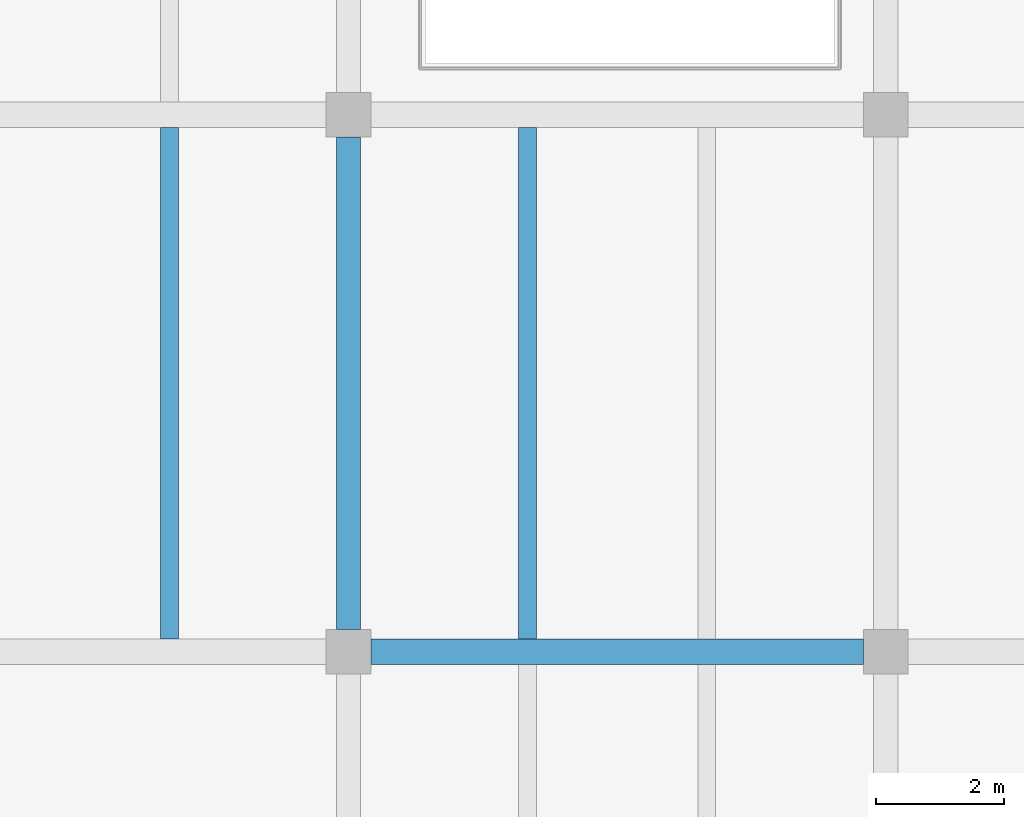
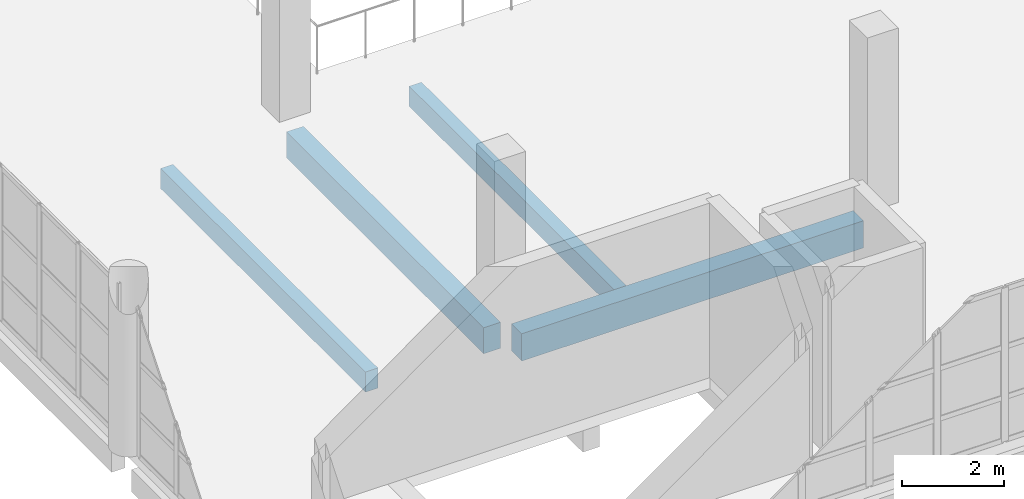
# One storey, part 67 of 177: 4 beams.
"""IFC4 building model written with IfcOpenShell, lengths in metres."""

from ifc_helpers import new_model, si_unit, direction, frame, origin, origin_2d, place, context, subcontext, project, spatial, rectangle, extrude, material, material_profile, profile_set, type_object, element, save


model = new_model("IFC4")

# Units and contexts
model_context = context("Model", 3, precision=1e-05, world=origin(), true_north=direction((0.0, 1.0)))
body_context = subcontext(model_context, "Body", "Model", "MODEL_VIEW")
ifc_project = project(units=[si_unit("LENGTHUNIT", "METRE"), si_unit("AREAUNIT", "SQUARE_METRE"), si_unit("VOLUMEUNIT", "CUBIC_METRE"), si_unit("PLANEANGLEUNIT", "RADIAN"), si_unit("MASSUNIT", "GRAM", prefix="KILO"), si_unit("THERMODYNAMICTEMPERATUREUNIT", "KELVIN"), si_unit("POWERUNIT", "WATT")], contexts=[model_context])

# Site, building, storey
site_placement = place(None, origin())
site = spatial("IfcSite", under=ifc_project, at=site_placement, CompositionType="ELEMENT")
building_placement = place(site_placement, origin())
building = spatial("IfcBuilding", under=site, at=building_placement, Name="Mavoryth Pier Ferry Terminal", CompositionType="ELEMENT")
storey_placement = place(building_placement, frame((0.0, 0.0, 5.43994140625)))
storey = spatial("IfcBuildingStorey", under=building, at=storey_placement, Name="L01", CompositionType="ELEMENT", Elevation=5.43994140625)

# Beams
ifc_material = material(Name="Concrete C35/45", Category="concrete")
ifc_material_profile_1 = material_profile(ifc_material, rectangle(XDim=0.3798828125, YDim=0.6201171875, at=origin_2d()), Name="RC 380x620", Category="concrete")
ifc_profile_set_1 = profile_set([ifc_material_profile_1], Name="Concrete C35/45 - RC 380x620")
beam_type_1 = type_object("IfcBeamType", Name="Girder-RC-380x620", PredefinedType="BEAM", material=ifc_profile_set_1)
beam_1_placement = place(storey_placement, frame((58.800048828125, 81.14990234375, -0.58984375), z_axis=(0.0, 1.0, 0.0), x_axis=(-1.0, 0.0, 0.0)))
element("IfcBeam", 1, at=beam_1_placement, inside=storey, type_object=beam_type_1, Name="Beam B01-BG06-0208", PredefinedType="BEAM", context=body_context, shape_type="SweptSolid", body=[
    extrude(rectangle(XDim=0.3798828125, YDim=0.6201171875, at=origin_2d()), origin(), (0.0, 0.0, 1.0), 7.7001953125),
])
ifc_material_profile_2 = material_profile(ifc_material, rectangle(XDim=0.39990234375, YDim=0.64990234375, at=origin_2d()), Name="RC 400x650", Category="concrete")
ifc_profile_set_2 = profile_set([ifc_material_profile_2], Name="Concrete C35/45 - RC 400x650")
beam_type_2 = type_object("IfcBeamType", Name="Girder-RC-400x650", PredefinedType="BEAM", material=ifc_profile_set_2)
beam_2_placement = place(storey_placement, frame((59.14990234375, 80.800048828125, -0.60498046875), z_axis=(1.0, 0.0, 0.0), x_axis=(0.0, 1.0, 0.0)))
element("IfcBeam", 2, at=beam_2_placement, inside=storey, type_object=beam_type_2, Name="Beam B01-BG05-0185", PredefinedType="BEAM", context=body_context, shape_type="SweptSolid", body=[
    extrude(rectangle(XDim=0.39990234375, YDim=0.64990234375, at=origin_2d()), origin(), (0.0, 0.0, 1.0), 7.7001953125),
])
ifc_material_profile_3 = material_profile(ifc_material, rectangle(XDim=0.280029296875, YDim=0.47998046875, at=origin_2d()), Name="RC 280x480", Category="concrete")
ifc_profile_set_3 = profile_set([ifc_material_profile_3], Name="Concrete C35/45 - RC 280x480")
beam_type_3 = type_object("IfcBeamType", Name="Joist-RC-280x480", PredefinedType="JOIST", material=ifc_profile_set_3)
for number, where, z_axis, x_axis, name in (
    (3, (56.0, 81.0, -0.52001953125), (0.0, 1.0, 0.0), (-1.0, 0.0, 0.0), "Beam B01-BJ02-0228"),
    (4, (61.60009765625, 81.0, -0.52001953125), (0.0, 1.0, 0.0), (-1.0, 0.0, 0.0), "Beam B01-BJ02-0235"),
):
    element("IfcBeam", number, at=place(storey_placement, frame(where, z_axis=z_axis, x_axis=x_axis)), inside=storey, type_object=beam_type_3, Name=name, PredefinedType="JOIST", context=body_context, shape_type="SweptSolid", body=[
        extrude(rectangle(XDim=0.280029296875, YDim=0.47998046875, at=origin_2d()), origin(), (0.0, 0.0, 1.0), 8.0),
    ])

save(model, "model.ifc")
